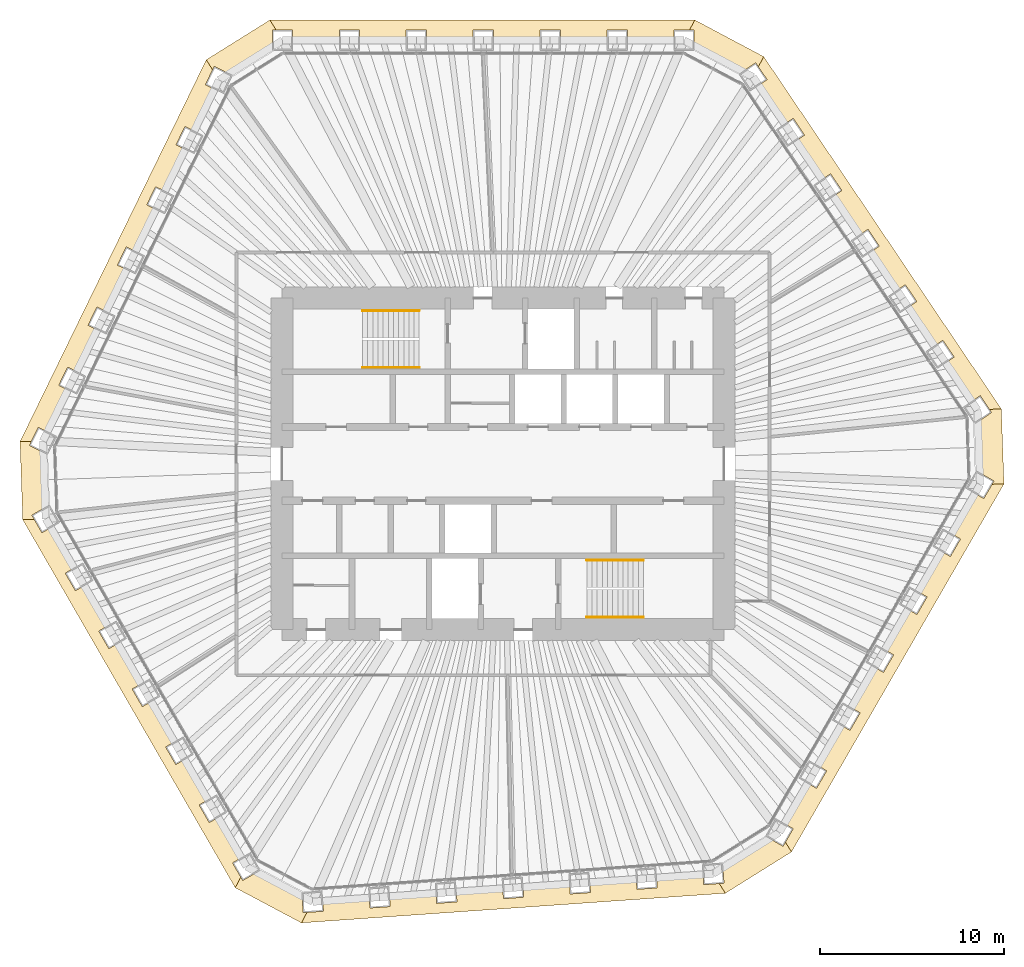
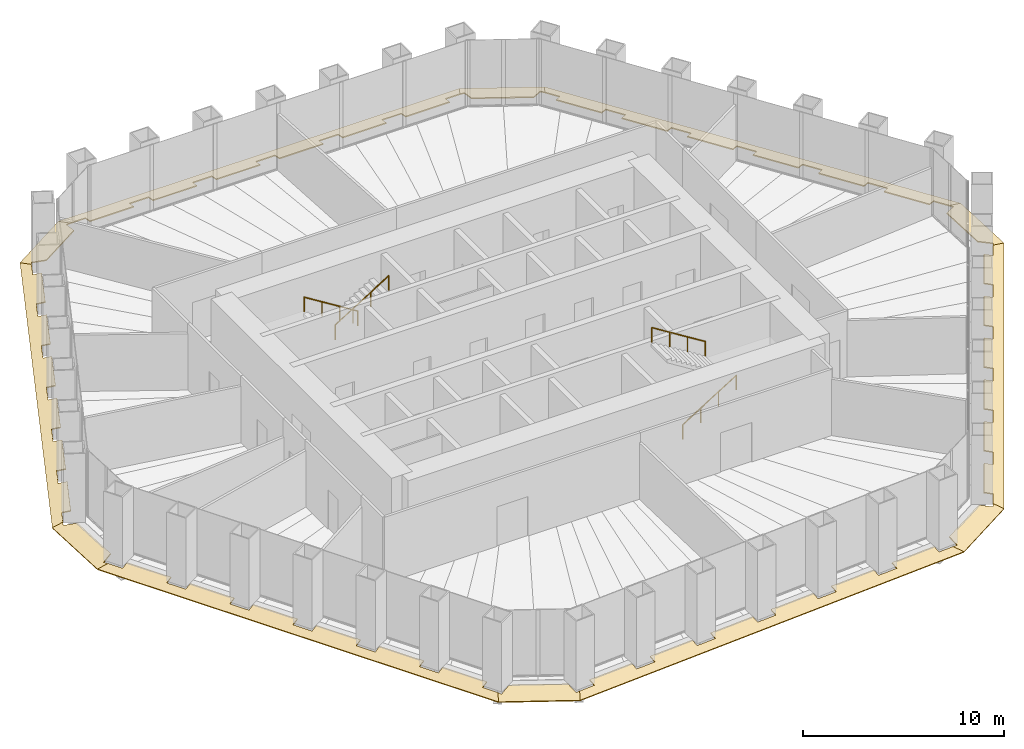
# One storey, part 13 of 13: 12 coverings, 4 railings.
"""IFC4 building model written with IfcOpenShell, lengths in metres."""

from ifc_helpers import new_model, si_unit, direction, frame, origin, origin_2d, place, context, subcontext, project, spatial, polyline, circle, outline, extrude, material, layer, layer_set, type_object, element, save


model = new_model("IFC4")

# Units and contexts
model_context = context("Model", 3, precision=1e-05, world=origin(), true_north=direction((0.0, 1.0)))
body_context = subcontext(model_context, "Body", "Model", "MODEL_VIEW")
ifc_project = project(units=[si_unit("LENGTHUNIT", "METRE"), si_unit("AREAUNIT", "SQUARE_METRE"), si_unit("VOLUMEUNIT", "CUBIC_METRE"), si_unit("PLANEANGLEUNIT", "RADIAN"), si_unit("MASSUNIT", "GRAM", prefix="KILO")], contexts=[model_context])

# Site, building, storey
site_placement = place(None, origin())
site = spatial("IfcSite", under=ifc_project, at=site_placement, CompositionType="ELEMENT")
building_placement = place(site_placement, origin())
building = spatial("IfcBuilding", under=site, at=building_placement, Name="Qingtian Harvest Tower", CompositionType="ELEMENT")
storey_placement = place(building_placement, frame((0.0, 0.0, 218.199951171875)))
storey = spatial("IfcBuildingStorey", under=building, at=storey_placement, Name="L47", CompositionType="ELEMENT", Elevation=218.199951171875)

# Coverings
ifc_material_1 = material(Name="Bronze-finished aluminium plate", Category="aluminium")
ifc_layer = layer(ifc_material_1, 0.06005859375)
ifc_layer_set = layer_set([ifc_layer], Name="Bronze eave band EB2 mid-tier")
covering_type = type_object("IfcCoveringType", Name="Bronze eave band EB2 mid-tier", PredefinedType="CLADDING", material=ifc_layer_set)
covering_1_placement = place(storey_placement, frame((-11.421875, 23.10009765625, -0.02001953125), z_axis=(0.0, 0.196115919124, 0.980580718894), x_axis=(0.0, 0.980580718894, -0.196115919124)))
element("IfcCovering", 1, at=covering_1_placement, inside=storey, type_object=covering_type, Name="Eave band EB2 L47 1", PredefinedType="CLADDING", context=body_context, shape_type="SweptSolid", body=[
    extrude(outline(polyline([(0.0, 0.0), (0.4588332331930616, 0.0), (0.4588332331930616, 0.8937988281249999), (1.0197943267459186, 1.2375488281249998), (1.0197943267459186, -21.836181640624996), (0.4588332331930616, -21.543701171874996), (0.4588332331930616, -20.701171874999996), (0.0, -20.701171874999996), (0.0, -18.167724609374996), (0.4588332331930616, -18.167724609374996), (0.4588332331930616, -17.067626953124996), (0.0, -17.067626953124996), (0.0, -14.534179687499998), (0.4588332331930616, -14.534179687499998), (0.4588332331930616, -13.434082031249998), (0.0, -13.434082031249998), (0.0, -10.900634765624998), (0.4588332331930616, -10.900634765624998), (0.4588332331930616, -9.800537109374998), (0.0, -9.800537109374998), (0.0, -7.267089843749999), (0.4588332331930616, -7.267089843749999), (0.4588332331930616, -6.166992187499999), (0.0, -6.166992187499999), (0.0, -3.6335449218749996), (0.4588332331930616, -3.6335449218749996), (0.4588332331930616, -2.5334472656249996), (0.0, -2.5334472656249996), (0.0, 0.0)])), origin(), (0.0, 0.0, -1.0), 0.06005859375),
])
covering_2_placement = place(storey_placement, frame((10.37939453125, 22.8359375, -0.02001953125), z_axis=(0.081626659956, 0.153508448266, 0.984770148154), x_axis=(1.185009e-06, 0.988067337349, -0.154022520637)))
element("IfcCovering", 2, at=covering_2_placement, inside=storey, type_object=covering_type, Name="Eave band EB2 L47 2", PredefinedType="CLADDING", context=body_context, shape_type="SweptSolid", body=[
    extrude(outline(polyline([(0.0, 0.0), (0.722737116981257, 0.0), (0.7194277341686849, 0.2584416152429945), (1.2798723844358364, -0.035027228184325146), (-0.6861263061799219, -3.789501728145794), (-1.2465709564470733, -3.496032884718474), (-1.0321880944253587, -3.351517366641502), (-1.443983823663414, -2.7574951564075456), (0.0, 0.0)])), origin(), (0.0, 0.0, -1.0), 0.06005859375),
])
covering_3_placement = place(storey_placement, frame((13.9619140625, 20.6103515625, -0.02001953125), z_axis=(0.162591371962, 0.1096689548, 0.980579811192), x_axis=(0.813097588818, 0.548095867801, -0.196120449618)))
element("IfcCovering", 3, at=covering_3_placement, inside=storey, type_object=covering_type, Name="Eave band EB2 L47 3", PredefinedType="CLADDING", context=body_context, shape_type="SweptSolid", body=[
    extrude(outline(polyline([(0.0, 0.0), (0.4587705529804315, -3.474867962816042e-17), (0.45848342684764276, 0.8425582528061655), (1.0193723976329874, 1.1351770089343336), (1.025961029833599, -21.93843963836464), (0.464877695655302, -21.59495851755765), (0.464648250944798, -20.701209301960606), (0.005743885496642065, -20.70141174204193), (0.005111936924738103, -18.167711698733353), (0.4638824899051708, -18.167711698733353), (0.4637587926083493, -17.06764057212548), (0.004854427160192465, -17.0678430122068), (0.004088666120563467, -14.534345408979547), (0.4629930315687194, -14.534142968898225), (0.4625370116506542, -13.434137817511495), (0.003766458670223294, -13.434137817511495), (0.0030006976305934074, -10.900640214284241), (0.46190506307875023, -10.900437774202919), (0.4616475533142046, -9.800569087676365), (0.0027431878660486575, -9.800771527757687), (0.001977426826419215, -7.267273924530435), (0.4608817922745756, -7.267071484449112), (0.4604257723565104, -6.167066333062381), (0.0016552193760790423, -6.167066333062382), (0.0008894583364496, -3.6335687298351287), (0.459793823784606, -3.6333662897538055), (0.45953631402006057, -2.533497603227253), (0.000631948571904406, -2.533700043308576), (0.0, 0.0)])), origin(), (0.0, 0.0, -1.0), 0.06005859375),
])
covering_4_placement = place(storey_placement, frame((25.900390625, 2.36572265625, -0.02001953125), z_axis=(0.167100516169, 0.005837691488, 0.985922582587), x_axis=(0.820550287107, 0.55356458624, -0.142349833821)))
element("IfcCovering", 4, at=covering_4_placement, inside=storey, type_object=covering_type, Name="Eave band EB2 L47 4", PredefinedType="CLADDING", context=body_context, shape_type="SweptSolid", body=[
    extrude(outline(polyline([(0.0, 0.0), (0.7625456254105968, -9.540979117872439e-17), (0.7597517624213163, 0.20707011913781959), (1.3198695099417277, -0.13798334420427646), (-0.8155031544680602, -3.6035186084767576), (-1.3756209019884715, -3.2584651451346613), (-1.1893121529785684, -3.167713147384843), (-1.5320869563173571, -2.486637419777341), (0.0, 0.0)])), origin(), (0.0, 0.0, -1.0), 0.06005859375),
])
covering_5_placement = place(storey_placement, frame((25.716064453125, -1.658203125, -0.02001953125), z_axis=(0.169847900228, -0.098061716548, 0.98057921176), x_axis=(0.849213042955, -0.490278286504, -0.196123454634)))
element("IfcCovering", 5, at=covering_5_placement, inside=storey, type_object=covering_type, Name="Eave band EB2 L47 5", PredefinedType="CLADDING", context=body_context, shape_type="SweptSolid", body=[
    extrude(outline(polyline([(0.0, 0.0), (0.4590828225247453, -4.391018798566293e-18), (0.4590529642219155, 0.8936280595479149), (1.019970060521107, 1.2373805822830608), (1.0195414888931877, -21.836125572177927), (0.45873591129968483, -21.54382992470095), (0.4586018050346622, -20.701288435592666), (-0.00015399323972609125, -20.701377801538687), (-4.766533770172998e-05, -18.16781571682091), (0.45870813293668744, -18.167726350874894), (0.45875967391350014, -17.067694338376835), (3.875639110972884e-06, -17.067783704322853), (-9.71238619289494e-05, -14.534343687207214), (0.4588660018155254, -14.534132253659063), (0.45871021538927204, -13.434222308763138), (-4.558288511624653e-05, -13.434311674709155), (-5.89518303826253e-05, -10.900538156443229), (0.4588165432912973, -10.900660224045362), (0.45886808426811, -9.800628211547306), (0.0001122859937208176, -9.800717577493323), (-0.0001084103546102888, -7.267066126829531), (0.4589744121701348, -7.267066126829531), (0.4590259531469475, -6.167034114331472), (-5.686937779758594e-05, -6.1670341143314715), (4.945852422744146e-05, -3.6334720296136984), (0.4589249536459076, -3.633594097215832), (0.45897649462272017, -2.533562084717774), (0.00010099950104014432, -2.53344001711564), (0.0, 0.0)])), origin(), (0.0, 0.0, -1.0), 0.06005859375),
])
covering_6_placement = place(storey_placement, frame((14.586669921875, -20.40673828125, -0.02001953125), z_axis=(0.092135139006, -0.147442542689, 0.984769928849), x_axis=(0.855840774729, -0.493781026389, -0.154002812602)))
element("IfcCovering", 6, at=covering_6_placement, inside=storey, type_object=covering_type, Name="Eave band EB2 L47 6", PredefinedType="CLADDING", context=body_context, shape_type="SweptSolid", body=[
    extrude(outline(polyline([(0.0, 0.0), (0.7228597818092672, -3.469446951953614e-18), (0.7196014233328389, 0.2582430300048367), (1.2798065883709582, -0.03520169123645911), (-0.6870016640740491, -3.7893189394599087), (-1.2475363266222073, -3.4957892504312875), (-1.033128907836519, -3.351194711919717), (-1.444669395041918, -2.7570348133613383), (0.0, 0.0)])), origin(), (0.0, 0.0, -1.0), 0.06005859375),
])
covering_7_placement = place(storey_placement, frame((10.8681640625, -22.396484375, -0.02001953125), z_axis=(0.013679482475, -0.195635325798, 0.980581302626), x_axis=(0.068086695913, -0.978214647538, -0.196112990855)))
element("IfcCovering", 7, at=covering_7_placement, inside=storey, type_object=covering_type, Name="Eave band EB2 L47 7", PredefinedType="CLADDING", context=body_context, shape_type="SweptSolid", body=[
    extrude(outline(polyline([(0.0, 0.0), (0.4589407750326098, -6.159623592433272e-18), (0.45860012007038525, 0.842389282833688), (1.0194948358216882, 1.135230375238882), (1.0266348144888118, -21.93829776112077), (0.4657324225091262, -21.59483695589611), (0.4652835887706999, -20.701291153527404), (0.006581635673523989, -20.70130810842613), (0.005753039792268044, -18.167790974416736), (0.464454992889444, -18.16777401951801), (0.46418406974503174, -17.06768763938834), (0.005226671983927789, -17.06793119056563), (0.004653520766600194, -14.534187460277675), (0.4633554738637759, -14.534170505378947), (0.4630845507193639, -13.43408412524928), (0.004127152958259828, -13.434327676426573), (0.003298557077003883, -10.90081054241718), (0.46225595483810805, -10.900566991239888), (0.46198503169369604, -9.80048061111022), (0.0030276339325918666, -9.800724162287514), (0.0021990380513358665, -7.26720702827812), (0.46115643581244004, -7.266963477100828), (0.4608688899395337, -6.167120648148453), (0.0019281149069238501, -6.167120648148453), (0.0010995190256679332, -3.63360351413906), (0.4600402940582778, -3.6336035141390606), (0.4595305489784317, -2.5335001791106646), (0.0008285958812558891, -2.5335171340093927), (0.0, 0.0)])), origin(), (0.0, 0.0, -1.0), 0.06005859375),
])
covering_8_placement = place(storey_placement, frame((-10.9013671875, -23.61328125, -0.02001953125), z_axis=(-0.078493656414, -0.14762740102, 0.985923372464), x_axis=(0.069172705664, -0.98739767675, -0.142341015661)))
element("IfcCovering", 8, at=covering_8_placement, inside=storey, type_object=covering_type, Name="Eave band EB2 L47 8", PredefinedType="CLADDING", context=body_context, shape_type="SweptSolid", body=[
    extrude(outline(polyline([(0.0, 0.0), (0.7625183472838286, -6.938893903907228e-18), (0.7598909573317847, 0.20713000283555544), (1.3197994011987428, -0.13794875533648834), (-0.8156308206548283, -3.603490863817296), (-1.375780328407712, -3.2583981832525586), (-1.1895369028541622, -3.167512203896072), (-1.532459280503546, -2.486745068063235), (0.0, 0.0)])), origin(), (0.0, 0.0, -1.0), 0.06005859375),
])
covering_9_placement = place(storey_placement, frame((-14.294189453125, -21.441650390625, -0.02001953125), z_axis=(-0.169841985619, -0.098058229399, 0.980580584943), x_axis=(-0.849081197748, -0.490509332905, -0.196116582582)))
element("IfcCovering", 9, at=covering_9_placement, inside=storey, type_object=covering_type, Name="Eave band EB2 L47 9", PredefinedType="CLADDING", context=body_context, shape_type="SweptSolid", body=[
    extrude(outline(polyline([(0.0, 0.0), (0.45887551243521696, -3.5019730171281793e-17), (0.45914308895613554, 0.8936280199874141), (1.0201752489491906, 1.237283874376159), (1.014346176679112, -21.836432979406094), (0.453491449230176, -21.543829254721945), (0.4537299308230797, -20.70149923279786), (-0.00523312357132788, -20.70116570834943), (-0.00445819171105466, -18.16772580773743), (0.4544173207241619, -18.16772580773743), (0.4546584043346759, -17.067693820450394), (-0.0042171081005415445, -17.067693820450394), (-0.0036494714545609597, -14.534131797090975), (0.4552260409806556, -14.534131797090977), (0.45567441980546225, -13.43422193255136), (-0.0034083878440487325, -13.43409980980394), (-0.002633455983774624, -10.90065990919194), (0.45624205645144283, -10.900659909191942), (0.45648314006195684, -9.800627921904905), (-0.0023923723732606206, -9.800627921904905), (-0.0018247357272804798, -7.2670658985454875), (0.4570507767079361, -7.267065898545488), (0.45729186031844965, -6.167033911258452), (-0.0015836521167673645, -6.167033911258452), (-0.0008087202564932561, -3.633594010646453), (0.45806679217872354, -3.6335940106464535), (0.458307875789237, -2.533562023359417), (-0.0005676366459801407, -2.533562023359417), (0.0, 0.0)])), origin(), (0.0, 0.0, -1.0), 0.06005859375),
])
covering_10_placement = place(storey_placement, frame((-24.966064453125, -2.42919921875, -0.02001953125), z_axis=(-0.173744867373, -0.006068761298, 0.984771999601), x_axis=(-0.855754792031, -0.493922791537, -0.154026010517)))
element("IfcCovering", 10, at=covering_10_placement, inside=storey, type_object=covering_type, Name="Eave band EB2 L47 10", PredefinedType="CLADDING", context=body_context, shape_type="SweptSolid", body=[
    extrude(outline(polyline([(0.0, 0.0), (0.7226508472260988, 6.245004513516506e-17), (0.7194546477971805, 0.25845455738326256), (1.279903763732089, -0.034925309499061724), (-0.6855452368560603, -3.7898114805762084), (-1.245994352790969, -3.4964316136938836), (-1.0318459618678233, -3.351893703944076), (-1.4435432928012488, -2.757772743545878), (0.0, 0.0)])), origin(), (0.0, 0.0, -1.0), 0.06005859375),
])
covering_11_placement = place(storey_placement, frame((-24.829833984375, 1.7861328125, -0.02001953125), z_axis=(-0.176270233284, 0.085974225766, 0.980580051481), x_axis=(-0.881375747555, 0.429783700587, -0.196119255381)))
element("IfcCovering", 11, at=covering_11_placement, inside=storey, type_object=covering_type, Name="Eave band EB2 L47 11", PredefinedType="CLADDING", context=body_context, shape_type="SweptSolid", body=[
    extrude(outline(polyline([(0.0, 0.0), (0.4589542797249817, 4.2717565595928875e-17), (0.45914037604643976, 0.8423866776287793), (1.0201040457464143, 1.1347814910800078), (1.0179722258364792, -21.938781998349846), (0.45721828579527446, -21.59493808736933), (0.45715440008956043, -20.701339511744923), (-0.0015847000095536856, -20.701232505269246), (-0.00139287865712312, -18.167735828742458), (0.4575614010678588, -18.167735828742458), (0.45758413398942355, -17.067662852658525), (-0.0013701457355583813, -17.067662852658525), (-0.0011783243831269274, -14.534166176131738), (0.4577759553418541, -14.53416617613174), (0.45790361592469586, -13.434312640834625), (-0.0010506638002860669, -13.434312640834625), (-0.0006436628219876894, -10.900708957832158), (0.4580954372771264, -10.900815964307837), (0.45811817019869117, -9.800742988223906), (-0.0006209299004225066, -9.800635981748226), (-0.0004291085479914969, -7.267139305221438), (0.4583099915511222, -7.267246311697119), (0.45854790409855517, -6.167066329137507), (-0.0004063756264263141, -6.167066329137507), (-0.00021455427399574845, -3.633569652610719), (0.45873972545098574, -3.633569652610719), (0.45876245837255114, -2.533496676526788), (-0.00019182135243045462, -2.5334966765267875), (0.0, 0.0)])), origin(), (0.0, 0.0, -1.0), 0.06005859375),
])
covering_12_placement = place(storey_placement, frame((-14.9990234375, 21.24755859375, -0.02001953125), z_axis=(-0.088606382332, 0.141792574823, 0.985922803639), x_axis=(-0.889636757846, 0.433913436149, -0.142357188155)))
element("IfcCovering", 12, at=covering_12_placement, inside=storey, type_object=covering_type, Name="Eave band EB2 L47 12", PredefinedType="CLADDING", context=body_context, shape_type="SweptSolid", body=[
    extrude(outline(polyline([(0.0, 0.0), (0.7623462428754142, -5.551115123125783e-17), (0.7597734595227653, 0.2072904793976071), (1.3197170585927207, -0.13787148640221025), (-0.8151742981855126, -3.603633828394344), (-1.375335093729551, -3.2585812352370462), (-1.1891626799895063, -3.167788531359146), (-1.5320418359167083, -2.486860037346506), (0.0, 0.0)])), origin(), (0.0, 0.0, -1.0), 0.06005859375),
])

# Railings
ifc_material_2 = material(Name="Stainless steel handrail", Category="steel")
railing_type = type_object("IfcRailingType", Name="Handrail HR1", PredefinedType="HANDRAIL", material=ifc_material_2)
railing_1_placement = place(storey_placement, frame((-4.550048828125, 8.320068359375, 0.175048828125)))
element("IfcRailing", 13, at=railing_1_placement, inside=storey, type_object=railing_type, Name="Handrail HR1 S1 flight 1", PredefinedType="HANDRAIL", context=body_context, shape_type="SweptSolid", body=[
    extrude(circle(Radius=0.02392578125, at=origin_2d()), frame((0.0, 0.0, 0.8759765625), z_axis=(-0.847979421464, 0.0, 0.530029150871), x_axis=(0.0, -1.0, 0.0)), (0.0, 0.0, 1.0), 3.632080078125),
    extrude(circle(Radius=0.02099609375, at=origin_2d()), origin(), (0.0, 0.0, 1.0), 0.851806640625),
    extrude(circle(Radius=0.02099609375, at=origin_2d()), frame((-1.026611328125, 0.0, 0.6416015625)), (0.0, 0.0, 1.0), 0.851806640625),
    extrude(circle(Radius=0.02099609375, at=origin_2d()), frame((-2.05322265625, 0.0, 1.283447265625)), (0.0, 0.0, 1.0), 0.851806640625),
    extrude(circle(Radius=0.02099609375, at=origin_2d()), frame((-3.079833984375, 0.0, 1.925048828125)), (0.0, 0.0, 1.0), 0.851806640625),
])
railing_2_placement = place(storey_placement, frame((-7.6298828125, 5.22998046875, 2.275146484375)))
element("IfcRailing", 14, at=railing_2_placement, inside=storey, type_object=railing_type, Name="Handrail HR1 S1 flight 2", PredefinedType="HANDRAIL", context=body_context, shape_type="SweptSolid", body=[
    extrude(circle(Radius=0.02392578125, at=origin_2d()), frame((0.0, 0.0, 0.8759765625), z_axis=(0.848009633417, 0.0, 0.529980812513), x_axis=(0.0, 1.0, 0.0)), (0.0, 0.0, 1.0), 3.6318359375),
    extrude(circle(Radius=0.02099609375, at=origin_2d()), origin(), (0.0, 0.0, 1.0), 0.851806640625),
    extrude(circle(Radius=0.02099609375, at=origin_2d()), frame((1.026611328125, 0.0, 0.6416015625)), (0.0, 0.0, 1.0), 0.851806640625),
    extrude(circle(Radius=0.02099609375, at=origin_2d()), frame((2.05322265625, 0.0, 1.283203125)), (0.0, 0.0, 1.0), 0.851806640625),
    extrude(circle(Radius=0.02099609375, at=origin_2d()), frame((3.079833984375, 0.0, 1.9248046875)), (0.0, 0.0, 1.0), 0.851806640625),
])
railing_3_placement = place(storey_placement, frame((4.550048828125, -8.320068359375, 0.175048828125)))
element("IfcRailing", 15, at=railing_3_placement, inside=storey, type_object=railing_type, Name="Handrail HR1 S2 flight 1", PredefinedType="HANDRAIL", context=body_context, shape_type="SweptSolid", body=[
    extrude(circle(Radius=0.02392578125, at=origin_2d()), frame((0.0, 0.0, 0.8759765625), z_axis=(0.847979421464, 0.0, 0.530029150871), x_axis=(0.0, 1.0, 0.0)), (0.0, 0.0, 1.0), 3.632080078125),
    extrude(circle(Radius=0.02099609375, at=origin_2d()), origin(), (0.0, 0.0, 1.0), 0.851806640625),
    extrude(circle(Radius=0.02099609375, at=origin_2d()), frame((1.026611328125, 0.0, 0.6416015625)), (0.0, 0.0, 1.0), 0.851806640625),
    extrude(circle(Radius=0.02099609375, at=origin_2d()), frame((2.05322265625, 0.0, 1.283447265625)), (0.0, 0.0, 1.0), 0.851806640625),
    extrude(circle(Radius=0.02099609375, at=origin_2d()), frame((3.079833984375, 0.0, 1.925048828125)), (0.0, 0.0, 1.0), 0.851806640625),
])
railing_4_placement = place(storey_placement, frame((7.6298828125, -5.22998046875, 2.275146484375)))
element("IfcRailing", 16, at=railing_4_placement, inside=storey, type_object=railing_type, Name="Handrail HR1 S2 flight 2", PredefinedType="HANDRAIL", context=body_context, shape_type="SweptSolid", body=[
    extrude(circle(Radius=0.02392578125, at=origin_2d()), frame((0.0, 0.0, 0.8759765625), z_axis=(-0.848009633417, 0.0, 0.529980812513), x_axis=(0.0, -1.0, 0.0)), (0.0, 0.0, 1.0), 3.6318359375),
    extrude(circle(Radius=0.02099609375, at=origin_2d()), origin(), (0.0, 0.0, 1.0), 0.851806640625),
    extrude(circle(Radius=0.02099609375, at=origin_2d()), frame((-1.026611328125, 0.0, 0.6416015625)), (0.0, 0.0, 1.0), 0.851806640625),
    extrude(circle(Radius=0.02099609375, at=origin_2d()), frame((-2.05322265625, 0.0, 1.283203125)), (0.0, 0.0, 1.0), 0.851806640625),
    extrude(circle(Radius=0.02099609375, at=origin_2d()), frame((-3.079833984375, 0.0, 1.9248046875)), (0.0, 0.0, 1.0), 0.851806640625),
])

save(model, "model.ifc")
